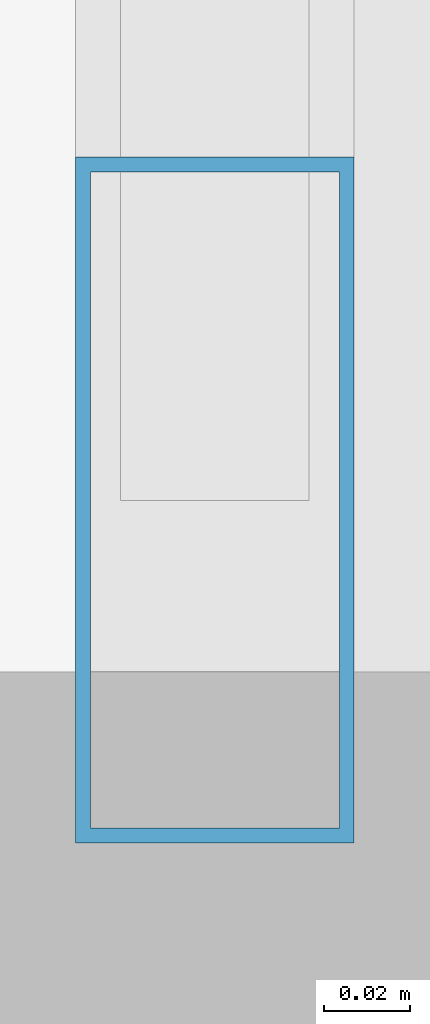
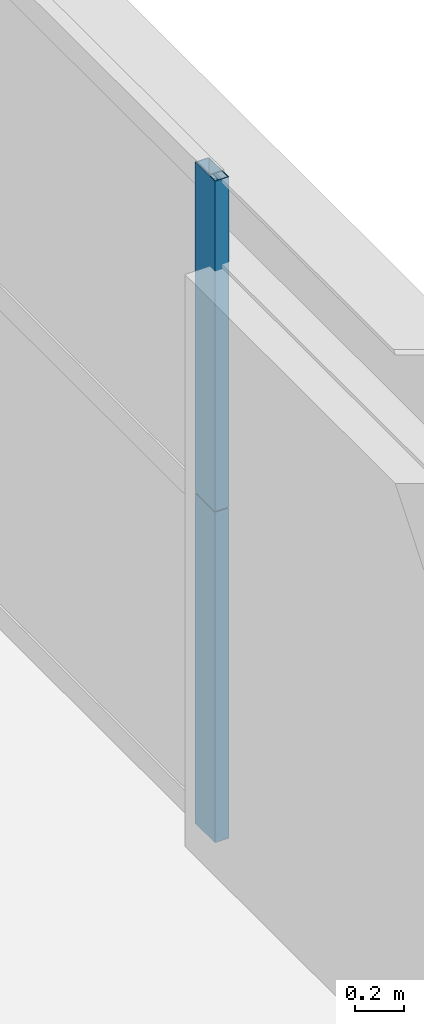
# One storey, part 22 of 45: 2 members, 1 element without a shape of its own.
"""IFC4 building model written with IfcOpenShell, lengths in metres."""

import ifcopenshell
import ifcopenshell.guid

model = None  # the IFC model being written
_history = None  # IfcOwnerHistory: only IFC2X3 demands one
_inside = {}  # id of a spatial element -> (the spatial element, [elements in it])
_under = {}  # id of a project, library or spatial element -> (it, [spatial elements below it])
_declared = {}  # id of a project -> (the project, [libraries it declares])
_typed = {}  # id of a type object -> (the type object, [elements of that type])
_made_of = {}  # id of a material, layer set ... -> (it, [elements and type objects made of it])


def new_model(schema):
    """Start an empty IFC model of exactly this schema.

    Asked for "IFC4X3", IfcOpenShell would pick the latest addendum, in which some entities
    have other attributes; the version numbers below select the first issue.
    IFC2X3 requires an IfcOwnerHistory on every rooted entity: one is made here for all.
    """
    global model, _history
    if schema == "IFC4X3":
        model = ifcopenshell.file(schema_version=(4, 3, 0, 0))
    else:
        model = ifcopenshell.file(schema=schema)
    _inside.clear()
    _under.clear()
    _declared.clear()
    _typed.clear()
    _made_of.clear()
    _history = None
    if model.schema == "IFC2X3":
        org = make("IfcOrganization", Name="unknown")
        user = make(
            "IfcPersonAndOrganization",
            ThePerson=make("IfcPerson", FamilyName="unknown"),
            TheOrganization=org,
        )
        app = make(
            "IfcApplication",
            ApplicationDeveloper=org,
            Version="unknown",
            ApplicationFullName="unknown",
            ApplicationIdentifier="unknown",
        )
        _history = make(
            "IfcOwnerHistory",
            OwningUser=user,
            OwningApplication=app,
            ChangeAction="ADDED",
            CreationDate=0,
        )
    return model


def make(cls, **values):
    """One entity of the class cls with the attributes given. An attribute that is None is left unset."""
    return model.create_entity(
        cls, **{name: value for name, value in values.items() if value is not None}
    )


def rooted(cls, **values):
    """An entity with a GlobalId (a new one), such as an element, a storey or a relation."""
    return make(cls, GlobalId=ifcopenshell.guid.new(), OwnerHistory=_history, **values)


def si_unit(unit_type, name, prefix=None):
    """IfcSIUnit, for example si_unit("LENGTHUNIT", "METRE", prefix="MILLI")."""
    return make("IfcSIUnit", UnitType=unit_type, Prefix=prefix, Name=name)


def assignment(units):
    """IfcUnitAssignment: the units of a project."""
    return None if units is None else make("IfcUnitAssignment", Units=units)


def point(xyz):
    """IfcCartesianPoint."""
    return None if xyz is None else make("IfcCartesianPoint", Coordinates=xyz)


def direction(xyz):
    """IfcDirection."""
    return None if xyz is None else make("IfcDirection", DirectionRatios=xyz)


def frame(location, z_axis=None, x_axis=None):
    """IfcAxis2Placement3D, a coordinate frame: its origin and axes. An axis left out is left unset."""
    return make(
        "IfcAxis2Placement3D",
        Location=point(location),
        Axis=direction(z_axis),
        RefDirection=direction(x_axis),
    )


def frame_2d(location, x_axis=None):
    """IfcAxis2Placement2D, a coordinate frame in the plane: its origin and x axis."""
    return make(
        "IfcAxis2Placement2D", Location=point(location), RefDirection=direction(x_axis)
    )


def origin():
    """The frame at (0, 0, 0) with its axes left unset."""
    return frame((0.0, 0.0, 0.0))


def origin_2d():
    """The frame at (0, 0) in the plane with its x axis left unset."""
    return frame_2d((0.0, 0.0))


def place(relative_to, where):
    """IfcLocalPlacement: puts the frame where relative to a parent placement (None: the world)."""
    return make(
        "IfcLocalPlacement", PlacementRelTo=relative_to, RelativePlacement=where
    )


def context(
    kind, dimensions, precision=None, world=None, true_north=None, identifier=None
):
    """IfcGeometricRepresentationContext, for example the 3D "Model" context."""
    return make(
        "IfcGeometricRepresentationContext",
        ContextIdentifier=identifier,
        ContextType=kind,
        CoordinateSpaceDimension=dimensions,
        Precision=precision,
        WorldCoordinateSystem=world,
        TrueNorth=true_north,
    )


def subcontext(parent, identifier, kind, view, scale=None):
    """IfcGeometricRepresentationSubContext, for example "Body" below "Model"."""
    return make(
        "IfcGeometricRepresentationSubContext",
        ContextIdentifier=identifier,
        ContextType=kind,
        ParentContext=parent,
        TargetScale=scale,
        TargetView=view,
    )


def project(units=None, contexts=None):
    """IfcProject with its units and contexts."""
    return rooted(
        "IfcProject",
        Name="project",
        RepresentationContexts=contexts,
        UnitsInContext=assignment(units),
    )


def spatial(cls, under=None, at=None, **own):
    """A site, building, storey or space (cls), placed at a placement, below another one or the project."""
    s = rooted(cls, ObjectPlacement=at, **own)
    if under is not None:
        _under.setdefault(under.id(), (under, []))[1].append(s)
    return s


def profile(cls, at=None, kind="AREA", **sizes):
    """A parametric profile (cls). Its sizes go by their IFC names, for example OverallWidth=200.0."""
    return make(cls, ProfileType=kind, Position=at, **sizes)


def hollow_rectangle(**sizes):
    """IfcRectangleHollowProfileDef."""
    return profile("IfcRectangleHollowProfileDef", **sizes)


def extrude(swept, where, along, depth):
    """IfcExtrudedAreaSolid: the profile swept, set in the frame where, extruded along a direction by depth."""
    return make(
        "IfcExtrudedAreaSolid",
        SweptArea=swept,
        Position=where,
        ExtrudedDirection=direction(along),
        Depth=depth,
    )


def shape(context_of_items, identifier, shape_type, items):
    """IfcShapeRepresentation: the items that make up one representation, for example the "Body"."""
    return make(
        "IfcShapeRepresentation",
        ContextOfItems=context_of_items,
        RepresentationIdentifier=identifier,
        RepresentationType=shape_type,
        Items=items,
    )


def source(mapping_origin, context_of_items, identifier, shape_type, items):
    """IfcRepresentationMap: a shape defined once, which mapped items show again and again."""
    return make(
        "IfcRepresentationMap",
        MappingOrigin=mapping_origin,
        MappedRepresentation=shape(context_of_items, identifier, shape_type, items),
    )


def transform(
    local_origin,
    x_axis=None,
    y_axis=None,
    z_axis=None,
    scale=None,
    scale2=None,
    scale3=None,
    uniform=True,
):
    """IfcCartesianTransformationOperator3D, or its non-uniform kind. x_axis, y_axis, z_axis: its Axis1, 2, 3."""
    if uniform:
        return make(
            "IfcCartesianTransformationOperator3D",
            Axis1=direction(x_axis),
            Axis2=direction(y_axis),
            LocalOrigin=point(local_origin),
            Scale=scale,
            Axis3=direction(z_axis),
        )
    return make(
        "IfcCartesianTransformationOperator3DnonUniform",
        Axis1=direction(x_axis),
        Axis2=direction(y_axis),
        LocalOrigin=point(local_origin),
        Scale=scale,
        Axis3=direction(z_axis),
        Scale2=scale2,
        Scale3=scale3,
    )


def mapped(mapping_source, mapping_target):
    """IfcMappedItem: shows the shape of a source again, moved by a transform."""
    return make(
        "IfcMappedItem", MappingSource=mapping_source, MappingTarget=mapping_target
    )


def material(Name=None, Category=None):
    """IfcMaterial."""
    return make("IfcMaterial", Name=Name, Category=Category)


def layer(
    of_material, thickness, ventilated=None, Name=None, Category=None, Priority=None
):
    """IfcMaterialLayer: one layer of a wall or slab, of a material (None: an air gap)."""
    return make(
        "IfcMaterialLayer",
        Material=of_material,
        LayerThickness=thickness,
        IsVentilated=ventilated,
        Name=Name,
        Category=Category,
        Priority=Priority,
    )


def layer_set(layers, Name=None):
    """IfcMaterialLayerSet."""
    return make("IfcMaterialLayerSet", MaterialLayers=layers, LayerSetName=Name)


def material_profile(
    of_material, cross_section, Name=None, Category=None, Priority=None
):
    """IfcMaterialProfile: a cross section and its material."""
    return make(
        "IfcMaterialProfile",
        Name=Name,
        Material=of_material,
        Profile=cross_section,
        Priority=Priority,
        Category=Category,
    )


def profile_set(profiles, Name=None, composite=None):
    """IfcMaterialProfileSet."""
    return make(
        "IfcMaterialProfileSet",
        Name=Name,
        MaterialProfiles=profiles,
        CompositeProfile=composite,
    )


def made_of(thing, what):
    """Note that an element or type object is made of a material, layer set ...; save() writes the relation."""
    if what is not None:
        _made_of.setdefault(what.id(), (what, []))[1].append(thing)
    return thing


def type_object(cls, material=None, **own):
    """A type object (cls), such as IfcWallType, which elements share."""
    return made_of(rooted(cls, **own), material)


def element(
    cls,
    number,
    at=None,
    inside=None,
    cuts=None,
    type_object=None,
    material=None,
    context=None,
    identifier="Body",
    shape_type=None,
    held_by="IfcProductDefinitionShape",
    body=None,
    shapes=None,
    **own,
):
    """One element of the class cls, such as IfcWall. Its Tag is "e" and its number.

    at: its placement. inside: the storey or other place that contains it. cuts: it is an
    opening in that element (IfcRelVoidsElement). A single representation is given by context,
    identifier, shape_type and body (its items); several are given by shapes. held_by: the class
    of the entity that holds the representations. save() writes the other relations.
    """
    e = rooted(cls, Tag="e%d" % number, ObjectPlacement=at, **own)
    if body is not None:
        shapes = [shape(context, identifier, shape_type, body)]
    if shapes is not None:
        e.Representation = make(held_by, Representations=shapes)
    if inside is not None:
        _inside.setdefault(inside.id(), (inside, []))[1].append(e)
    if cuts is not None:
        rooted(
            "IfcRelVoidsElement", RelatingBuildingElement=cuts, RelatedOpeningElement=e
        )
    if type_object is not None:
        _typed.setdefault(type_object.id(), (type_object, []))[1].append(e)
    return made_of(e, material)


def aggregate(whole, parts):
    """IfcRelAggregates: a whole, such as a stair, and the parts it consists of."""
    return rooted("IfcRelAggregates", RelatingObject=whole, RelatedObjects=parts)


def save(model, path):
    """Write the relations noted so far, then the file.

    IfcRelAggregates (storeys below a building ...), IfcRelContainedInSpatialStructure (elements
    in a storey), IfcRelDefinesByType, IfcRelAssociatesMaterial and IfcRelDeclares: one each for
    every whole, place, type object, material and project.
    """
    for whole, parts in _under.values():
        aggregate(whole, parts)
    for where, things in _inside.values():
        rooted(
            "IfcRelContainedInSpatialStructure",
            RelatedElements=things,
            RelatingStructure=where,
        )
    for kind, things in _typed.values():
        rooted("IfcRelDefinesByType", RelatedObjects=things, RelatingType=kind)
    for what, things in _made_of.values():
        rooted("IfcRelAssociatesMaterial", RelatedObjects=things, RelatingMaterial=what)
    for by, libraries in _declared.values():
        rooted("IfcRelDeclares", RelatingContext=by, RelatedDefinitions=libraries)
    model.write(path)


model = new_model("IFC4")

# Units and contexts
model_context = context("Model", 3, precision=1e-05, world=origin(), true_north=direction((0.0, 1.0)))
body_context = subcontext(model_context, "Body", "Model", "MODEL_VIEW")
ifc_project = project(units=[si_unit("LENGTHUNIT", "METRE"), si_unit("AREAUNIT", "SQUARE_METRE"), si_unit("VOLUMEUNIT", "CUBIC_METRE"), si_unit("PLANEANGLEUNIT", "RADIAN"), si_unit("MASSUNIT", "GRAM", prefix="KILO"), si_unit("THERMODYNAMICTEMPERATUREUNIT", "KELVIN"), si_unit("POWERUNIT", "WATT")], contexts=[model_context])

# Site, building, storey
site_placement = place(None, origin())
site = spatial("IfcSite", under=ifc_project, at=site_placement, CompositionType="ELEMENT")
building_placement = place(site_placement, origin())
building = spatial("IfcBuilding", under=site, at=building_placement, Name="Yuzanri Waterfront Tower", CompositionType="ELEMENT")
storey_placement = place(building_placement, frame((0.0, 0.0, 198.5)))
storey = spatial("IfcBuildingStorey", under=building, at=storey_placement, Name="L52", CompositionType="ELEMENT", Elevation=198.5)

# Curtain wall, members
ifc_material_1 = material(Name="Anodized Architectural Bronze", Category="metal")
ifc_layer = layer(ifc_material_1, 0.159912109375)
ifc_layer_set = layer_set([ifc_layer], Name="Anodized Architectural Bronze")
curtain_wall_type = type_object("IfcCurtainWallType", Name="Anodized Bronze Mid-Rise Residential Acoustic Unitized Curtain Wall 7200", PredefinedType="NOTDEFINED", material=ifc_layer_set)
curtain_wall_placement = place(storey_placement, origin())
curtain_wall = element("IfcCurtainWall", 1, at=curtain_wall_placement, inside=storey, type_object=curtain_wall_type, Name="L52 Curtain Wall CW-L52-EL", PredefinedType="NOTDEFINED")
ifc_material_2 = material(Name="Anodized Architectural Bronze", Category="metal")
ifc_material_profile = material_profile(ifc_material_2, hollow_rectangle(XDim=0.06494140625, YDim=0.159912109375, WallThickness=0.00341796875, at=origin_2d()), Name="CWM 65x160")
ifc_profile_set = profile_set([ifc_material_profile], Name="Anodized Architectural Bronze")
member_type = type_object("IfcMemberType", Name="Anodized Bronze Upper-Zone Curtain-Wall Mullion 65x160", PredefinedType="MULLION", material=ifc_profile_set)
shared_shape = source(origin(), body_context, "Body", "SweptSolid", [
    extrude(hollow_rectangle(XDim=0.06494140625, YDim=0.159912109375, WallThickness=0.00341796875, at=origin_2d()), origin(), (0.0, 0.0, 1.0), 1.637939453125),
])
member_1_placement = place(storey_placement, frame((58.949951171875, 11.090087890625, 0.0), z_axis=(0.0, 0.0, 1.0), x_axis=(1.0, 0.0, 0.0)))
member_1 = element("IfcMember", 2, at=member_1_placement, type_object=member_type, Name="CW-L52-EL Lower Mullion 00", PredefinedType="MULLION", context=body_context, shape_type="MappedRepresentation", body=[
    mapped(shared_shape, transform((0.0, 0.0, 0.0), scale=1.0)),
])
member_2_placement = place(storey_placement, frame((58.949951171875, 11.090087890625, 1.64208984375), z_axis=(0.0, 0.0, 1.0), x_axis=(1.0, 0.0, 0.0)))
member_2 = element("IfcMember", 3, at=member_2_placement, type_object=member_type, Name="CW-L52-EL Upper Mullion 00", PredefinedType="MULLION", context=body_context, shape_type="MappedRepresentation", body=[
    mapped(shared_shape, transform((0.0, 0.0, 0.0), scale=1.0)),
])
aggregate(curtain_wall, [member_1, member_2])

save(model, "model.ifc")
